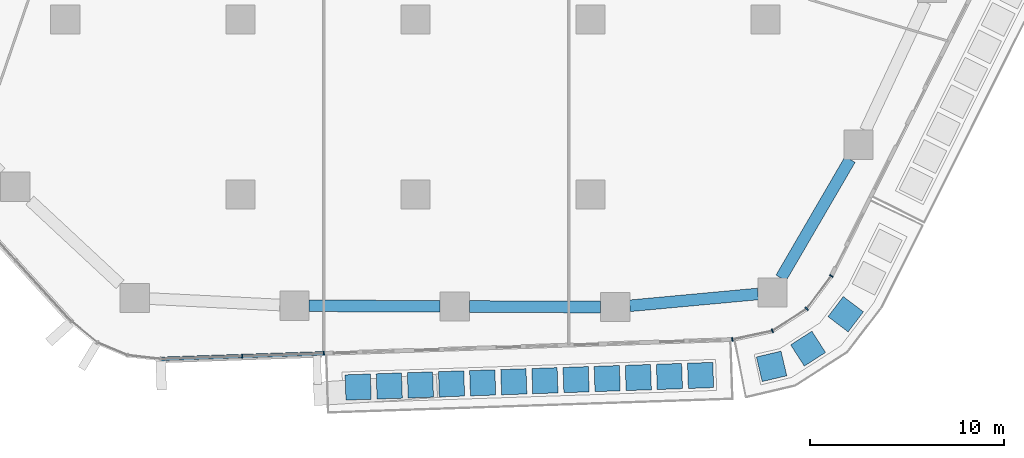
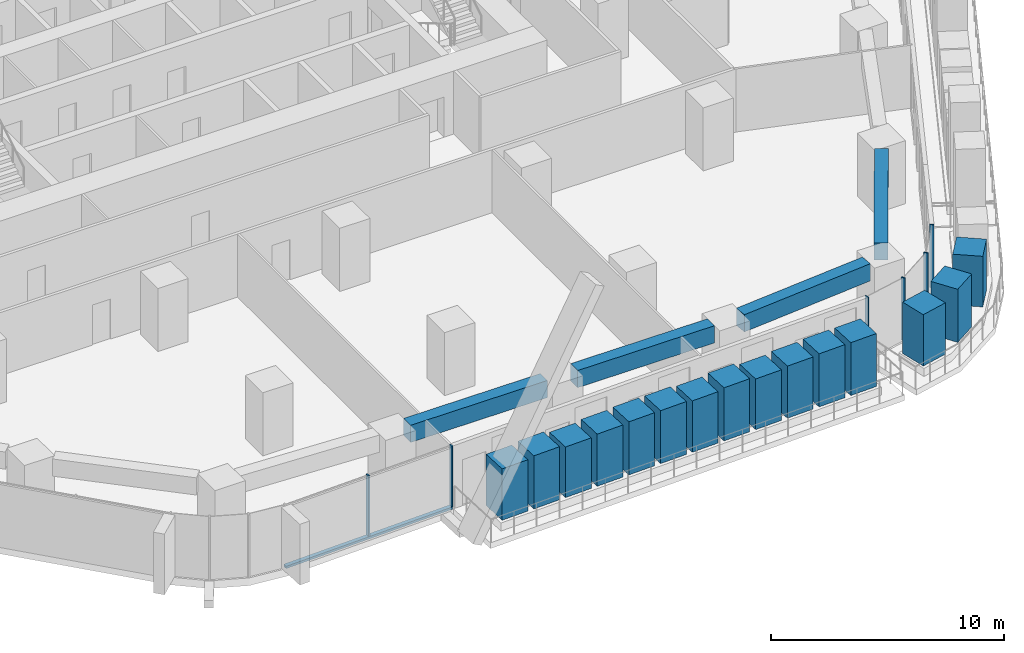
# One storey, part 4 of 26: 22 members, 4 beams, 2 elements without a shape of their own.
"""IFC4 building model written with IfcOpenShell, lengths in metres."""

from ifc_helpers import new_model, si_unit, direction, frame, origin, origin_2d, place, context, subcontext, project, spatial, rectangle, extrude, material, layer, layer_set, material_profile, profile_set, type_object, element, aggregate, save


model = new_model("IFC4")

# Units and contexts
model_context = context("Model", 3, precision=1e-05, world=origin(), true_north=direction((0.0, 1.0)))
body_context = subcontext(model_context, "Body", "Model", "MODEL_VIEW")
ifc_project = project(units=[si_unit("LENGTHUNIT", "METRE"), si_unit("AREAUNIT", "SQUARE_METRE"), si_unit("VOLUMEUNIT", "CUBIC_METRE"), si_unit("PLANEANGLEUNIT", "RADIAN"), si_unit("MASSUNIT", "GRAM", prefix="KILO")], contexts=[model_context])

# Site, building, storey
site_placement = place(None, origin())
site = spatial("IfcSite", under=ifc_project, at=site_placement, CompositionType="ELEMENT")
building_placement = place(site_placement, origin())
building = spatial("IfcBuilding", under=site, at=building_placement, Name="Dongbaek Canopy Tower", CompositionType="ELEMENT")
storey_placement = place(building_placement, frame((0.0, 0.0, 73.60009765625)))
storey = spatial("IfcBuildingStorey", under=building, at=storey_placement, Name="L14", CompositionType="ELEMENT", Elevation=73.60009765625)

# Curtain wall, members
ifc_material_1 = material(Name="Aluminium 6063-T6 pale anodised", Category="aluminium")
ifc_layer = layer(ifc_material_1, 0.199951171875)
ifc_layer_set = layer_set([ifc_layer], Name="CW-1 unitised tower curtain wall")
curtain_wall_type = type_object("IfcCurtainWallType", Name="CW-1 unitised tower curtain wall", PredefinedType="NOTDEFINED", material=ifc_layer_set)
curtain_wall_1_placement = place(storey_placement, origin())
curtain_wall_1 = element("IfcCurtainWall", 1, at=curtain_wall_1_placement, inside=storey, type_object=curtain_wall_type, Name="CW-1 curtain wall F4.1", PredefinedType="NOTDEFINED")
ifc_material_2 = material(Name="Aluminium 6063-T6 pale anodised", Category="aluminium")
ifc_material_profile_1 = material_profile(ifc_material_2, rectangle(XDim=0.199951171875, YDim=0.06005859375, at=origin_2d()), Name="CW-1 mullion 60 x 200")
ifc_profile_set_1 = profile_set([ifc_material_profile_1], Name="Aluminium 6063-T6 pale anodised")
member_type_1 = type_object("IfcMemberType", Name="CW-1 mullion 60 x 200", PredefinedType="MULLION", material=ifc_profile_set_1)
member_1_placement = place(storey_placement, frame((-8.904052734375, -35.310302734375, 0.119873046875), z_axis=(0.0, 0.0, 1.0), x_axis=(0.033932734012, -0.999424118962, 0.0)))
member_1 = element("IfcMember", 2, at=member_1_placement, type_object=member_type_1, Name="CW-1 mullion F4.1.2", PredefinedType="MULLION", context=body_context, shape_type="SweptSolid", body=[
    extrude(rectangle(XDim=0.199951171875, YDim=0.06005859375, at=origin_2d()), origin(), (0.0, 0.0, 1.0), 3.179931640625),
])
member_2_placement = place(storey_placement, frame((-4.702392578125, -35.167724609375, 0.119873046875), z_axis=(0.0, 0.0, 1.0), x_axis=(0.033932734012, -0.999424118962, 0.0)))
member_2 = element("IfcMember", 3, at=member_2_placement, type_object=member_type_1, Name="CW-1 mullion F4.1.3", PredefinedType="MULLION", context=body_context, shape_type="SweptSolid", body=[
    extrude(rectangle(XDim=0.199951171875, YDim=0.06005859375, at=origin_2d()), origin(), (0.0, 0.0, 1.0), 3.179931640625),
])

curtain_wall_2_placement = place(storey_placement, origin())
curtain_wall_2 = element("IfcCurtainWall", 4, at=curtain_wall_2_placement, inside=storey, type_object=curtain_wall_type, Name="CW-1 curtain wall K5.1", PredefinedType="NOTDEFINED")
member_3_placement = place(storey_placement, frame((16.297119140625, -34.454833984375, 0.0), z_axis=(0.0, 0.0, 1.0), x_axis=(0.211349311905, -0.977410593537, 0.0)))
member_3 = element("IfcMember", 5, at=member_3_placement, type_object=member_type_1, Name="CW-1 mullion K5.1.1", PredefinedType="MULLION", context=body_context, shape_type="SweptSolid", body=[
    extrude(rectangle(XDim=0.199951171875, YDim=0.06005859375, at=origin_2d()), origin(), (0.0, 0.0, 1.0), 3.2998046875),
])
member_4_placement = place(storey_placement, frame((18.359130859375, -34.0087890625, 0.0), z_axis=(0.0, 0.0, 1.0), x_axis=(0.382010904246, -0.924157816088, 0.0)))
member_4 = element("IfcMember", 6, at=member_4_placement, type_object=member_type_1, Name="CW-1 mullion K5.1.2", PredefinedType="MULLION", context=body_context, shape_type="SweptSolid", body=[
    extrude(rectangle(XDim=0.199951171875, YDim=0.06005859375, at=origin_2d()), origin(), (0.0, 0.0, 1.0), 3.2998046875),
])
member_5_placement = place(storey_placement, frame((20.12646484375, -32.87353515625, 0.0), z_axis=(0.0, 0.0, 1.0), x_axis=(0.681641141711, -0.731686650095, 0.0)))
member_5 = element("IfcMember", 7, at=member_5_placement, type_object=member_type_1, Name="CW-1 mullion K5.1.3", PredefinedType="MULLION", context=body_context, shape_type="SweptSolid", body=[
    extrude(rectangle(XDim=0.199951171875, YDim=0.06005859375, at=origin_2d()), origin(), (0.0, 0.0, 1.0), 3.2998046875),
])
member_6_placement = place(storey_placement, frame((21.389404296875, -31.18359375, 0.0), z_axis=(0.0, 0.0, 1.0), x_axis=(0.801033233665, -0.59861987819, 0.0)))
member_6 = element("IfcMember", 8, at=member_6_placement, type_object=member_type_1, Name="CW-1 mullion K5.1.4", PredefinedType="MULLION", context=body_context, shape_type="SweptSolid", body=[
    extrude(rectangle(XDim=0.199951171875, YDim=0.06005859375, at=origin_2d()), origin(), (0.0, 0.0, 1.0), 3.2998046875),
])
aggregate(curtain_wall_2, [member_3, member_4, member_5, member_6])

# Member
ifc_material_3 = material(Name="Aluminium 6063-T6 pale anodised", Category="aluminium")
ifc_material_profile_2 = material_profile(ifc_material_3, rectangle(XDim=0.199951171875, YDim=0.1201171875, at=origin_2d()), Name="CW-1 transom 120 x 200")
ifc_profile_set_2 = profile_set([ifc_material_profile_2], Name="Aluminium 6063-T6 pale anodised")
member_type_2 = type_object("IfcMemberType", Name="CW-1 transom 120 x 200", PredefinedType="USERDEFINED", material=ifc_profile_set_2)
member_7_placement = place(storey_placement, frame((-13.0986328125, -35.452880859375, 0.059814453125), z_axis=(0.999423777013, 0.033942803976, 0.0), x_axis=(-0.033942803976, 0.999423777013, 0.0)))
member_7 = element("IfcMember", 9, at=member_7_placement, type_object=member_type_2, Name="CW-1 transom F4.1.1", ObjectType="TRANSOM", PredefinedType="USERDEFINED", context=body_context, shape_type="SweptSolid", body=[
    extrude(rectangle(XDim=0.199951171875, YDim=0.1201171875, at=origin_2d()), origin(), (0.0, 0.0, 1.0), 8.401123046875),
])

aggregate(curtain_wall_1, [member_1, member_2, member_7])

# Beams
ifc_material_4 = material(Name="Concrete C80", Category="concrete")
ifc_material_profile_3 = material_profile(ifc_material_4, rectangle(XDim=0.60009765625, YDim=0.89990234375, at=origin_2d()), Name="RC EDGE BEAM 600x900 C80")
ifc_profile_set_3 = profile_set([ifc_material_profile_3], Name="Concrete C80")
beam_type = type_object("IfcBeamType", Name="RC EDGE BEAM 600x900 C80", PredefinedType="BEAM", material=ifc_profile_set_3)
beam_1_placement = place(storey_placement, frame((17.617919921875, -32.1123046875, 2.849853515625), z_axis=(-0.995766471257, -0.091919174929, 0.0), x_axis=(0.091919174929, -0.995766471257, 0.0)))
element("IfcBeam", 10, at=beam_1_placement, inside=storey, type_object=beam_type, Name="EDGEBEAM:L14:00", PredefinedType="BEAM", context=body_context, shape_type="SweptSolid", body=[
    extrude(rectangle(XDim=0.60009765625, YDim=0.89990234375, at=origin_2d()), origin(), (0.0, 0.0, 1.0), 6.618896484375),
])
beam_2_placement = place(storey_placement, frame((9.527099609375, -32.78662109375, 2.849853515625), z_axis=(-0.999989942747, 0.004484908597, 0.0), x_axis=(-0.004484908597, -0.999989942747, 0.0)))
element("IfcBeam", 11, at=beam_2_placement, inside=storey, type_object=beam_type, Name="EDGEBEAM:L14:01", PredefinedType="BEAM", context=body_context, shape_type="SweptSolid", body=[
    extrude(rectangle(XDim=0.60009765625, YDim=0.89990234375, at=origin_2d()), origin(), (0.0, 0.0, 1.0), 6.75),
])
beam_3_placement = place(storey_placement, frame((1.277099609375, -32.749755859375, 2.849853515625), z_axis=(-0.999990420723, 0.004377038088, 0.0), x_axis=(-0.004377038088, -0.999990420723, 0.0)))
element("IfcBeam", 12, at=beam_3_placement, inside=storey, type_object=beam_type, Name="EDGEBEAM:L14:02", PredefinedType="BEAM", context=body_context, shape_type="SweptSolid", body=[
    extrude(rectangle(XDim=0.60009765625, YDim=0.89990234375, at=origin_2d()), origin(), (0.0, 0.0, 1.0), 6.7490234375),
])
beam_4_placement = place(storey_placement, frame((22.35546875, -25.193115234375, 2.849853515625), z_axis=(-0.503081510817, -0.864238967806, 0.0), x_axis=(0.864238967806, -0.503081510817, 0.0)))
element("IfcBeam", 13, at=beam_4_placement, inside=storey, type_object=beam_type, Name="EDGEBEAM:L14:25", PredefinedType="BEAM", context=body_context, shape_type="SweptSolid", body=[
    extrude(rectangle(XDim=0.60009765625, YDim=0.89990234375, at=origin_2d()), origin(), (0.0, 0.0, 1.0), 7.05810546875),
])

# Members
ifc_material_5 = material(Name="Concrete C40/50 planter mass with planting", Category="concrete")
ifc_material_profile_4 = material_profile(ifc_material_5, rectangle(XDim=1.300048828125, YDim=1.300048828125, at=origin_2d()), Name="Terrace PLANTER shrub mass 1300 x 1300")
ifc_profile_set_4 = profile_set([ifc_material_profile_4], Name="Concrete C40/50 planter mass with planting")
member_type_3 = type_object("IfcMemberType", Name="Terrace PLANTER shrub mass 1300 x 1300", PredefinedType="USERDEFINED", material=ifc_profile_set_4)
member_8_placement = place(storey_placement, frame((-2.941650390625, -36.89892578125, 0.419921875), z_axis=(0.0, 0.0, 1.0), x_axis=(0.033932734012, -0.999424118962, 0.0)))
element("IfcMember", 14, at=member_8_placement, inside=storey, type_object=member_type_3, Name="Planter shrubs L14 4.1", ObjectType="PLANTER", PredefinedType="USERDEFINED", context=body_context, shape_type="SweptSolid", body=[
    extrude(rectangle(XDim=1.300048828125, YDim=1.300048828125, at=origin_2d()), origin(), (0.0, 0.0, 1.0), 2.68994140625),
])
member_9_placement = place(storey_placement, frame((-1.341064453125, -36.8447265625, 0.419921875), z_axis=(0.0, 0.0, 1.0), x_axis=(0.033932734012, -0.999424118962, 0.0)))
element("IfcMember", 15, at=member_9_placement, inside=storey, type_object=member_type_3, Name="Planter shrubs L14 4.2", ObjectType="PLANTER", PredefinedType="USERDEFINED", context=body_context, shape_type="SweptSolid", body=[
    extrude(rectangle(XDim=1.300048828125, YDim=1.300048828125, at=origin_2d()), origin(), (0.0, 0.0, 1.0), 2.780029296875),
])
member_10_placement = place(storey_placement, frame((0.259765625, -36.790283203125, 0.419921875), z_axis=(0.0, 0.0, 1.0), x_axis=(0.033932734012, -0.999424118962, 0.0)))
element("IfcMember", 16, at=member_10_placement, inside=storey, type_object=member_type_3, Name="Planter shrubs L14 4.3", ObjectType="PLANTER", PredefinedType="USERDEFINED", context=body_context, shape_type="SweptSolid", body=[
    extrude(rectangle(XDim=1.300048828125, YDim=1.300048828125, at=origin_2d()), origin(), (0.0, 0.0, 1.0), 2.64990234375),
])
member_11_placement = place(storey_placement, frame((1.860595703125, -36.73583984375, 0.419921875), z_axis=(0.0, 0.0, 1.0), x_axis=(0.033932734012, -0.999424118962, 0.0)))
element("IfcMember", 17, at=member_11_placement, inside=storey, type_object=member_type_3, Name="Planter shrubs L14 4.4", ObjectType="PLANTER", PredefinedType="USERDEFINED", context=body_context, shape_type="SweptSolid", body=[
    extrude(rectangle(XDim=1.300048828125, YDim=1.300048828125, at=origin_2d()), origin(), (0.0, 0.0, 1.0), 2.72998046875),
])
member_12_placement = place(storey_placement, frame((3.46142578125, -36.681640625, 0.419921875), z_axis=(0.0, 0.0, 1.0), x_axis=(0.033932734012, -0.999424118962, 0.0)))
element("IfcMember", 18, at=member_12_placement, inside=storey, type_object=member_type_3, Name="Planter shrubs L14 4.5", ObjectType="PLANTER", PredefinedType="USERDEFINED", context=body_context, shape_type="SweptSolid", body=[
    extrude(rectangle(XDim=1.300048828125, YDim=1.300048828125, at=origin_2d()), origin(), (0.0, 0.0, 1.0), 2.780029296875),
])
member_13_placement = place(storey_placement, frame((5.062255859375, -36.627197265625, 0.419921875), z_axis=(0.0, 0.0, 1.0), x_axis=(0.033932734012, -0.999424118962, 0.0)))
element("IfcMember", 19, at=member_13_placement, inside=storey, type_object=member_type_3, Name="Planter shrubs L14 4.6", ObjectType="PLANTER", PredefinedType="USERDEFINED", context=body_context, shape_type="SweptSolid", body=[
    extrude(rectangle(XDim=1.300048828125, YDim=1.300048828125, at=origin_2d()), origin(), (0.0, 0.0, 1.0), 2.77001953125),
])
member_14_placement = place(storey_placement, frame((6.6630859375, -36.572998046875, 0.419921875), z_axis=(0.0, 0.0, 1.0), x_axis=(0.033932734012, -0.999424118962, 0.0)))
element("IfcMember", 20, at=member_14_placement, inside=storey, type_object=member_type_3, Name="Planter shrubs L14 4.7", ObjectType="PLANTER", PredefinedType="USERDEFINED", context=body_context, shape_type="SweptSolid", body=[
    extrude(rectangle(XDim=1.300048828125, YDim=1.300048828125, at=origin_2d()), origin(), (0.0, 0.0, 1.0), 2.68994140625),
])
member_15_placement = place(storey_placement, frame((8.263916015625, -36.5185546875, 0.419921875), z_axis=(0.0, 0.0, 1.0), x_axis=(0.033932734012, -0.999424118962, 0.0)))
element("IfcMember", 21, at=member_15_placement, inside=storey, type_object=member_type_3, Name="Planter shrubs L14 4.8", ObjectType="PLANTER", PredefinedType="USERDEFINED", context=body_context, shape_type="SweptSolid", body=[
    extrude(rectangle(XDim=1.300048828125, YDim=1.300048828125, at=origin_2d()), origin(), (0.0, 0.0, 1.0), 2.780029296875),
])
member_16_placement = place(storey_placement, frame((9.864501953125, -36.464111328125, 0.419921875), z_axis=(0.0, 0.0, 1.0), x_axis=(0.033932734012, -0.999424118962, 0.0)))
element("IfcMember", 22, at=member_16_placement, inside=storey, type_object=member_type_3, Name="Planter shrubs L14 4.9", ObjectType="PLANTER", PredefinedType="USERDEFINED", context=body_context, shape_type="SweptSolid", body=[
    extrude(rectangle(XDim=1.300048828125, YDim=1.300048828125, at=origin_2d()), origin(), (0.0, 0.0, 1.0), 2.64990234375),
])
member_17_placement = place(storey_placement, frame((11.46533203125, -36.409912109375, 0.419921875), z_axis=(0.0, 0.0, 1.0), x_axis=(0.033932734012, -0.999424118962, 0.0)))
element("IfcMember", 23, at=member_17_placement, inside=storey, type_object=member_type_3, Name="Planter shrubs L14 4.10", ObjectType="PLANTER", PredefinedType="USERDEFINED", context=body_context, shape_type="SweptSolid", body=[
    extrude(rectangle(XDim=1.300048828125, YDim=1.300048828125, at=origin_2d()), origin(), (0.0, 0.0, 1.0), 2.72998046875),
])
member_18_placement = place(storey_placement, frame((13.066162109375, -36.35546875, 0.419921875), z_axis=(0.0, 0.0, 1.0), x_axis=(0.033932734012, -0.999424118962, 0.0)))
element("IfcMember", 24, at=member_18_placement, inside=storey, type_object=member_type_3, Name="Planter shrubs L14 4.11", ObjectType="PLANTER", PredefinedType="USERDEFINED", context=body_context, shape_type="SweptSolid", body=[
    extrude(rectangle(XDim=1.300048828125, YDim=1.300048828125, at=origin_2d()), origin(), (0.0, 0.0, 1.0), 2.780029296875),
])
member_19_placement = place(storey_placement, frame((14.6669921875, -36.301025390625, 0.419921875), z_axis=(0.0, 0.0, 1.0), x_axis=(0.033932734012, -0.999424118962, 0.0)))
element("IfcMember", 25, at=member_19_placement, inside=storey, type_object=member_type_3, Name="Planter shrubs L14 4.12", ObjectType="PLANTER", PredefinedType="USERDEFINED", context=body_context, shape_type="SweptSolid", body=[
    extrude(rectangle(XDim=1.300048828125, YDim=1.300048828125, at=origin_2d()), origin(), (0.0, 0.0, 1.0), 2.77001953125),
])
member_20_placement = place(storey_placement, frame((18.3193359375, -35.8349609375, 0.419921875), z_axis=(0.0, 0.0, 1.0), x_axis=(0.229055651776, -0.973413328648, 0.0)))
element("IfcMember", 26, at=member_20_placement, inside=storey, type_object=member_type_3, Name="Planter shrubs L14 8.1", ObjectType="PLANTER", PredefinedType="USERDEFINED", context=body_context, shape_type="SweptSolid", body=[
    extrude(rectangle(XDim=1.300048828125, YDim=1.300048828125, at=origin_2d()), origin(), (0.0, 0.0, 1.0), 2.68994140625),
])
member_21_placement = place(storey_placement, frame((20.195556640625, -34.924560546875, 0.419921875), z_axis=(0.0, 0.0, 1.0), x_axis=(0.540462955385, -0.841367811279, 0.0)))
element("IfcMember", 27, at=member_21_placement, inside=storey, type_object=member_type_3, Name="Planter shrubs L14 8.2", ObjectType="PLANTER", PredefinedType="USERDEFINED", context=body_context, shape_type="SweptSolid", body=[
    extrude(rectangle(XDim=1.300048828125, YDim=1.300048828125, at=origin_2d()), origin(), (0.0, 0.0, 1.0), 2.780029296875),
])
member_22_placement = place(storey_placement, frame((22.130615234375, -33.15380859375, 0.419921875), z_axis=(0.0, 0.0, 1.0), x_axis=(0.796328134047, -0.604864863359, 0.0)))
element("IfcMember", 28, at=member_22_placement, inside=storey, type_object=member_type_3, Name="Planter shrubs L14 8.3", ObjectType="PLANTER", PredefinedType="USERDEFINED", context=body_context, shape_type="SweptSolid", body=[
    extrude(rectangle(XDim=1.300048828125, YDim=1.300048828125, at=origin_2d()), origin(), (0.0, 0.0, 1.0), 2.64990234375),
])

save(model, "model.ifc")
